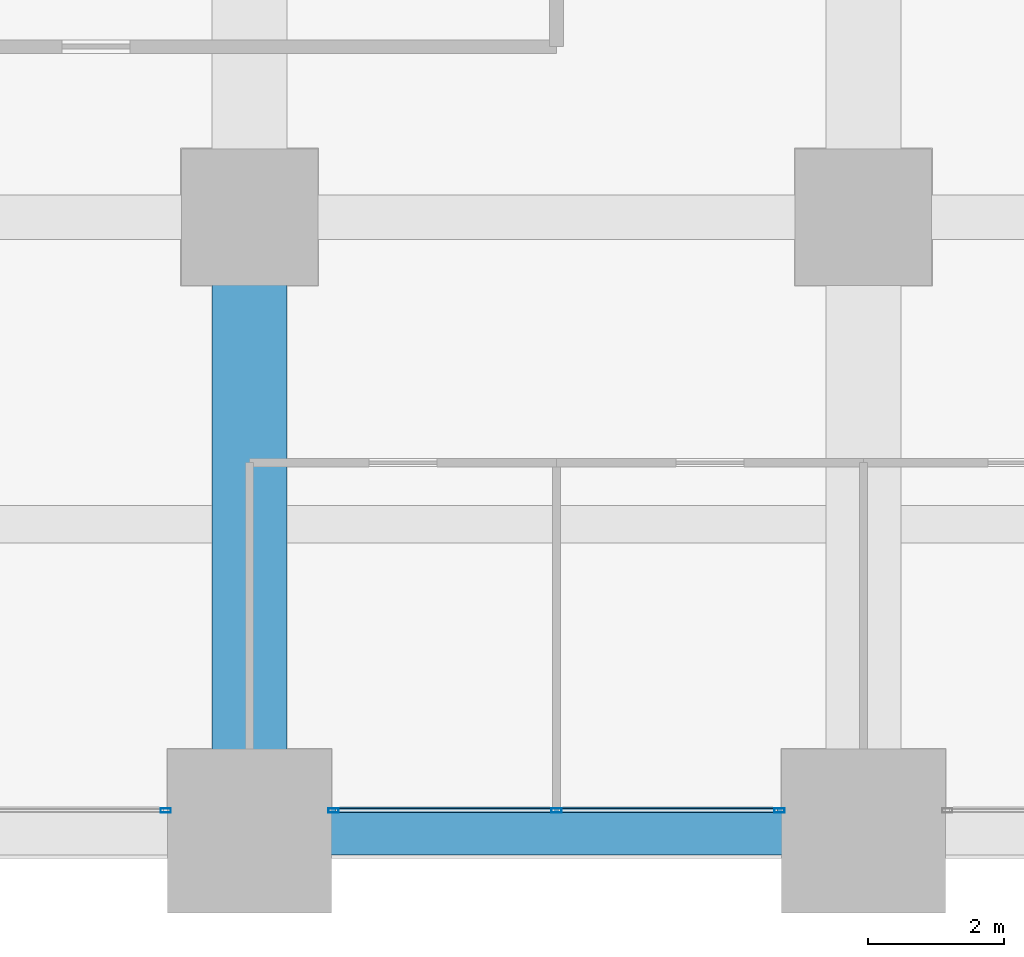
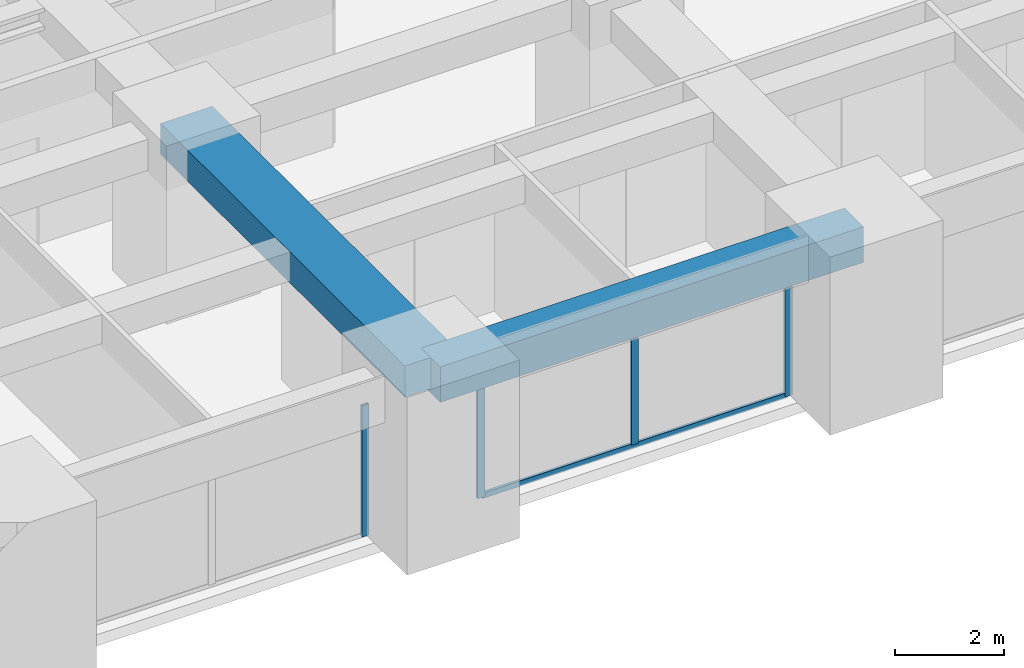
# One storey, part 13 of 41: 5 members, 2 beams, 2 elements without a shape of their own.
"""IFC4 building model written with IfcOpenShell, lengths in metres."""

from ifc_helpers import new_model, si_unit, direction, frame, origin, origin_2d, place, context, subcontext, project, spatial, rectangle, hollow_rectangle, extrude, material, material_profile, profile_set, type_object, element, aggregate, save


model = new_model("IFC4")

# Units and contexts
model_context = context("Model", 3, precision=1e-05, world=origin(), true_north=direction((0.0, 1.0)))
body_context = subcontext(model_context, "Body", "Model", "MODEL_VIEW")
ifc_project = project(units=[si_unit("LENGTHUNIT", "METRE"), si_unit("AREAUNIT", "SQUARE_METRE"), si_unit("VOLUMEUNIT", "CUBIC_METRE"), si_unit("PLANEANGLEUNIT", "RADIAN"), si_unit("MASSUNIT", "GRAM", prefix="KILO")], contexts=[model_context])

# Site, building, storey
site_placement = place(None, origin())
site = spatial("IfcSite", under=ifc_project, at=site_placement, CompositionType="ELEMENT")
building_placement = place(site_placement, origin())
building = spatial("IfcBuilding", under=site, at=building_placement, Name="Zorevar Civic Tower", CompositionType="ELEMENT")
storey_placement = place(building_placement, frame((0.0, 0.0, 97.0)))
storey = spatial("IfcBuildingStorey", under=building, at=storey_placement, Name="L23", CompositionType="ELEMENT", Elevation=97.0)

# Beam
ifc_material_1 = material(Name="Concrete C50/60", Category="concrete")
ifc_material_profile_1 = material_profile(ifc_material_1, rectangle(XDim=1.10009765625, YDim=0.699951171875, at=origin_2d()), Name="RC 1100x700")
ifc_profile_set_1 = profile_set([ifc_material_profile_1], Name="Concrete C50/60")
beam_type_1 = type_object("IfcBeamType", Name="Beam RC 1100x700", PredefinedType="BEAM", material=ifc_profile_set_1)
beam_1_placement = place(storey_placement, frame((36.0, 0.0, 3.39990234375), z_axis=(0.0, 1.0, 0.0), x_axis=(-1.0, 0.0, 0.0)))
element("IfcBeam", 1, at=beam_1_placement, inside=storey, type_object=beam_type_1, Name="Girder L24", PredefinedType="BEAM", context=body_context, shape_type="SweptSolid", body=[
    extrude(rectangle(XDim=1.10009765625, YDim=0.699951171875, at=origin_2d()), origin(), (0.0, 0.0, 1.0), 9.0),
])

# Curtain wall, member
ifc_material_2 = material(Name="Dark grey solar-control glass in black aluminium frame", Category="aluminium")
curtain_wall_type = type_object("IfcCurtainWallType", Name="Curtain wall CW3 mid zone", PredefinedType="NOTDEFINED", material=ifc_material_2)
curtain_wall_1_placement = place(storey_placement, origin())
curtain_wall_1 = element("IfcCurtainWall", 2, at=curtain_wall_1_placement, inside=storey, type_object=curtain_wall_type, Name="CW3 L23", PredefinedType="NOTDEFINED")
ifc_material_3 = material(Name="Aluminium, black anodised", Category="aluminium")
ifc_material_profile_2 = material_profile(ifc_material_3, hollow_rectangle(XDim=0.06005859375, YDim=0.14990234375, WallThickness=0.00390625, at=origin_2d()), Name="AL 150x60x4")
ifc_profile_set_2 = profile_set([ifc_material_profile_2], Name="Aluminium, black anodised")
member_type_1 = type_object("IfcMemberType", Name="CW3 mullion AL 150x60x4", PredefinedType="MULLION", material=ifc_profile_set_2)
member_1_placement = place(storey_placement, frame((34.77001953125, 0.300048828125, 0.0), z_axis=(0.0, 0.0, 1.0), x_axis=(0.0, 1.0, 0.0)))
member_1 = element("IfcMember", 3, at=member_1_placement, type_object=member_type_1, Name="CW3 mullion 3", PredefinedType="MULLION", context=body_context, shape_type="SweptSolid", body=[
    extrude(hollow_rectangle(XDim=0.06005859375, YDim=0.14990234375, WallThickness=0.00390625, at=origin_2d()), origin(), (0.0, 0.0, 1.0), 2.949951171875),
])
aggregate(curtain_wall_1, [member_1])

# Curtain wall, members
curtain_wall_2_placement = place(storey_placement, origin())
curtain_wall_2 = element("IfcCurtainWall", 4, at=curtain_wall_2_placement, inside=storey, type_object=curtain_wall_type, Name="CW3 L23", PredefinedType="NOTDEFINED")
member_2_placement = place(storey_placement, frame((37.22998046875, 0.300048828125, 0.0), z_axis=(0.0, 0.0, 1.0), x_axis=(0.0, 1.0, 0.0)))
member_2 = element("IfcMember", 5, at=member_2_placement, type_object=member_type_1, Name="CW3 mullion 1", PredefinedType="MULLION", context=body_context, shape_type="SweptSolid", body=[
    extrude(hollow_rectangle(XDim=0.06005859375, YDim=0.14990234375, WallThickness=0.00390625, at=origin_2d()), origin(), (0.0, 0.0, 1.0), 2.949951171875),
])
member_3_placement = place(storey_placement, frame((40.5, 0.300048828125, 0.06005859375), z_axis=(0.0, 0.0, 1.0), x_axis=(0.0, 1.0, 0.0)))
member_3 = element("IfcMember", 6, at=member_3_placement, type_object=member_type_1, Name="CW3 mullion 2", PredefinedType="MULLION", context=body_context, shape_type="SweptSolid", body=[
    extrude(hollow_rectangle(XDim=0.06005859375, YDim=0.14990234375, WallThickness=0.00390625, at=origin_2d()), origin(), (0.0, 0.0, 1.0), 2.889892578125),
])
member_4_placement = place(storey_placement, frame((43.77001953125, 0.300048828125, 0.0), z_axis=(0.0, 0.0, 1.0), x_axis=(0.0, 1.0, 0.0)))
member_4 = element("IfcMember", 7, at=member_4_placement, type_object=member_type_1, Name="CW3 mullion 3", PredefinedType="MULLION", context=body_context, shape_type="SweptSolid", body=[
    extrude(hollow_rectangle(XDim=0.06005859375, YDim=0.14990234375, WallThickness=0.00390625, at=origin_2d()), origin(), (0.0, 0.0, 1.0), 2.949951171875),
])
ifc_material_4 = material(Name="Aluminium, black anodised", Category="aluminium")
ifc_material_profile_3 = material_profile(ifc_material_4, hollow_rectangle(XDim=0.06005859375, YDim=0.1201171875, WallThickness=0.0029296875, at=origin_2d()), Name="AL 120x60x3")
ifc_profile_set_3 = profile_set([ifc_material_profile_3], Name="Aluminium, black anodised")
member_type_2 = type_object("IfcMemberType", Name="CW3 transom AL 120x60x3", PredefinedType="USERDEFINED", material=ifc_profile_set_3)
member_5_placement = place(storey_placement, frame((37.260009765625, 0.300048828125, 0.030029296875), z_axis=(1.0, 0.0, 0.0), x_axis=(0.0, 1.0, 0.0)))
member_5 = element("IfcMember", 8, at=member_5_placement, type_object=member_type_2, Name="CW3 sill transom", ObjectType="TRANSOM", PredefinedType="USERDEFINED", context=body_context, shape_type="SweptSolid", body=[
    extrude(hollow_rectangle(XDim=0.06005859375, YDim=0.1201171875, WallThickness=0.0029296875, at=origin_2d()), origin(), (0.0, 0.0, 1.0), 6.47998046875),
])
aggregate(curtain_wall_2, [member_2, member_3, member_4, member_5])

# Beam
ifc_material_5 = material(Name="Concrete C50/60", Category="concrete")
ifc_material_profile_4 = material_profile(ifc_material_5, rectangle(XDim=0.699951171875, YDim=0.800048828125, at=origin_2d()), Name="RC 700x800")
ifc_profile_set_4 = profile_set([ifc_material_profile_4], Name="Concrete C50/60")
beam_type_2 = type_object("IfcBeamType", Name="Edge beam RC 700x800", PredefinedType="SPANDREL", material=ifc_profile_set_4)
beam_2_placement = place(storey_placement, frame((36.0, 0.0, 3.35009765625), z_axis=(1.0, 0.0, 0.0), x_axis=(0.0, 1.0, 0.0)))
element("IfcBeam", 9, at=beam_2_placement, inside=storey, type_object=beam_type_2, Name="Edge beam L24", PredefinedType="SPANDREL", context=body_context, shape_type="SweptSolid", body=[
    extrude(rectangle(XDim=0.699951171875, YDim=0.800048828125, at=origin_2d()), origin(), (0.0, 0.0, 1.0), 9.0),
])

save(model, "model.ifc")
